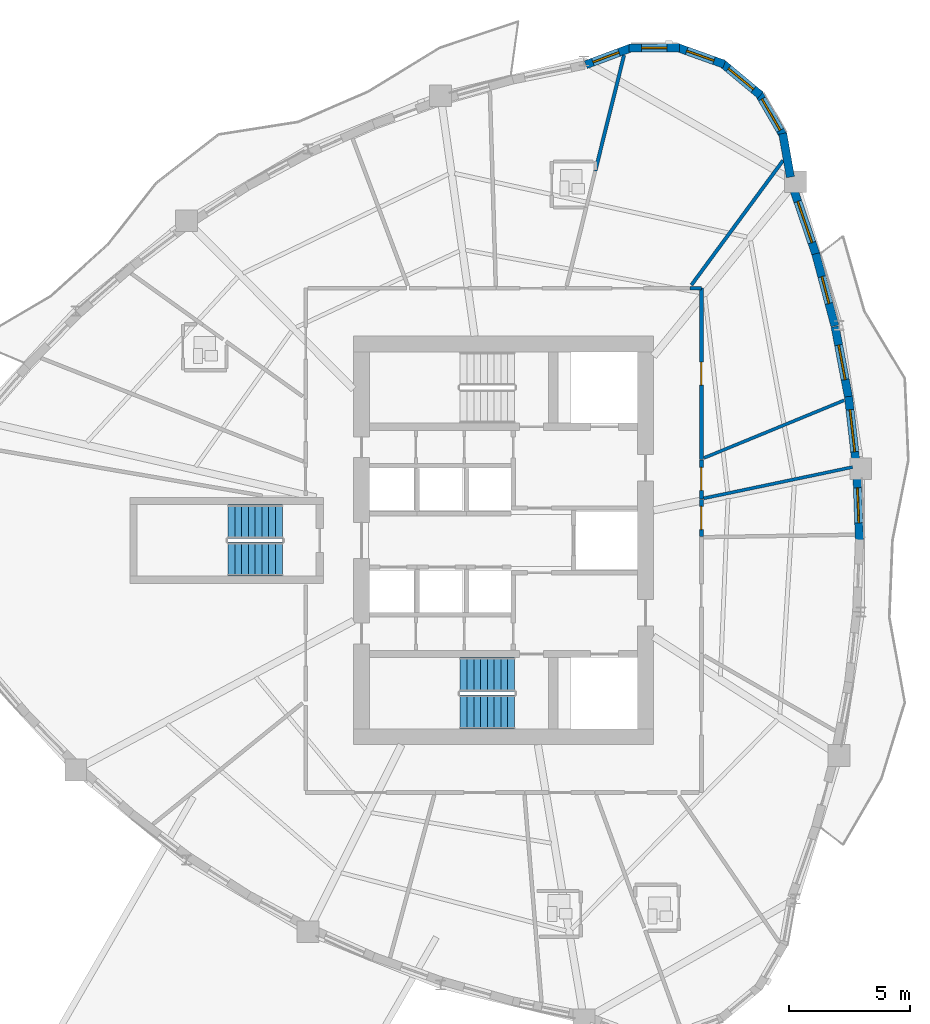
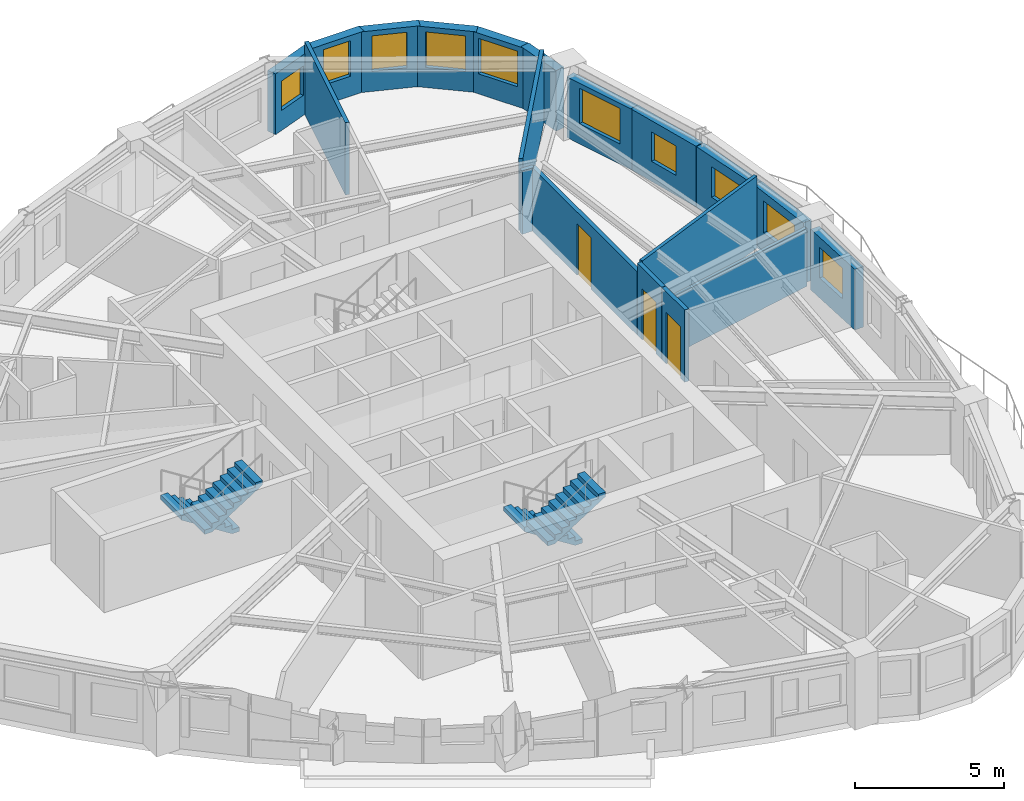
# One storey, part 8 of 14: 19 walls, 10 windows, 4 stair flights, 3 doors, 13 openings, 2 elements without a shape of their own.
"""IFC4 building model written with IfcOpenShell, lengths in metres."""

from ifc_helpers import new_model, si_unit, direction, frame, frame_2d, origin, place, context, subcontext, project, spatial, polyline, rectangle, outline, extrude, source, transform, mapped, material, layer, layer_set, type_object, element, fill, aggregate, save


model = new_model("IFC4")

# Units and contexts
model_context = context("Model", 3, precision=1e-05, world=origin(), true_north=direction((0.0, 1.0)))
body_context = subcontext(model_context, "Body", "Model", "MODEL_VIEW")
ifc_project = project(units=[si_unit("LENGTHUNIT", "METRE"), si_unit("AREAUNIT", "SQUARE_METRE"), si_unit("VOLUMEUNIT", "CUBIC_METRE"), si_unit("PLANEANGLEUNIT", "RADIAN"), si_unit("MASSUNIT", "GRAM", prefix="KILO")], contexts=[model_context])

# Site, building, storey
site_placement = place(None, origin())
site = spatial("IfcSite", under=ifc_project, at=site_placement, CompositionType="ELEMENT")
building_placement = place(site_placement, origin())
building = spatial("IfcBuilding", under=site, at=building_placement, Name="Qafzar Sky-Pleat Residences", CompositionType="ELEMENT")
storey_placement = place(building_placement, frame((0.0, 0.0, 118.39990234375)))
storey = spatial("IfcBuildingStorey", under=building, at=storey_placement, Name="L35", CompositionType="ELEMENT", Elevation=118.39990234375)

# Wall, opening, door
ifc_material_1 = material(Name="Acoustic gypsum plasterboard partition", Category="gypsum")
ifc_layer_1 = layer(ifc_material_1, 0.159912109375)
ifc_layer_set_1 = layer_set([ifc_layer_1], Name="Acoustic gypsum plasterboard partition")
wall_type_1 = type_object("IfcWallType", Name="PART-COR-160", PredefinedType="PARTITIONING", material=ifc_layer_set_1)
wall_1_placement = place(storey_placement, frame((38.530029296875, 36.429931640625, 0.0), z_axis=(0.0, 0.0, 1.0), x_axis=(0.0, -1.0, 0.0)))
wall_1 = element("IfcWall", 1, at=wall_1_placement, inside=storey, type_object=wall_type_1, Name="L35 Partition Wall PART-L35-PW-001", PredefinedType="PARTITIONING", context=body_context, shape_type="SweptSolid", body=[
    extrude(rectangle(XDim=7.0830078125, YDim=0.159912109375, at=frame_2d((3.54150390625, 0.0))), origin(), (0.0, 0.0, 1.0), 2.588134765625),
])
opening_1_placement = place(wall_1_placement, frame((3.052978515625, 0.0, 0.0)))
opening_1 = element("IfcOpeningElement", 2, at=opening_1_placement, cuts=wall_1, Name="Opening ID-06", PredefinedType="OPENING", context=body_context, shape_type="SweptSolid", body=[
    extrude(rectangle(XDim=0.9599609375, YDim=2.10009765625, at=frame_2d((0.47998046875, 1.050048828125))), frame((0.0, 0.08984375, 0.0), z_axis=(0.0, -1.0, 0.0), x_axis=(1.0, 0.0, 0.0)), (0.0, 0.0, 1.0), 0.179931640625),
])
ifc_material_2 = material(Name="Timber-faced fire door", Category="wood")
door_type_1 = type_object("IfcDoorType", Name="DR-STD-960", OperationType="NOTDEFINED", PredefinedType="DOOR", material=ifc_material_2)
shared_shape_1 = source(origin(), body_context, "Body", "SweptSolid", [
    extrude(rectangle(XDim=0.9599609375, YDim=2.10009765625, at=frame_2d((0.47998046875, 1.050048828125))), frame((0.0, 0.02490234375, 0.0), z_axis=(0.0, -1.0, 0.0), x_axis=(1.0, 0.0, 0.0)), (0.0, 0.0, 1.0), 0.050048828125),
])
door_1_placement = place(opening_1_placement, origin())
door_1 = element("IfcDoor", 3, at=door_1_placement, inside=storey, type_object=door_type_1, Name="L35 Reading Library Door", OperationType="SINGLE_SWING_RIGHT", OverallHeight=2.10009765625, OverallWidth=0.9599609375, PredefinedType="DOOR", context=body_context, shape_type="MappedRepresentation", body=[
    mapped(shared_shape_1, transform((0.0, 0.0, 0.0), x_axis=(1.0, 0.0, 0.0), y_axis=(0.0, 1.0, 0.0), z_axis=(0.0, 0.0, 1.0), scale=1.0)),
])
fill(opening_1, door_1)

wall_2_placement = place(storey_placement, frame((38.530029296875, 29.33203125, 0.0), z_axis=(0.0, 0.0, 1.0), x_axis=(0.0, -1.0, 0.0)))
wall_2 = element("IfcWall", 4, at=wall_2_placement, inside=storey, type_object=wall_type_1, Name="L35 Partition Wall PART-L35-PW-018", PredefinedType="PARTITIONING", context=body_context, shape_type="SweptSolid", body=[
    extrude(rectangle(XDim=1.629150390625, YDim=0.159912109375, at=frame_2d((0.814453125, 0.0))), origin(), (0.0, 0.0, 1.0), 2.9501953125),
])
opening_2_placement = place(wall_2_placement, frame((0.31591796875, 0.0, 0.0)))
opening_2 = element("IfcOpeningElement", 5, at=opening_2_placement, cuts=wall_2, Name="Opening ID-08", PredefinedType="OPENING", context=body_context, shape_type="SweptSolid", body=[
    extrude(rectangle(XDim=0.949951171875, YDim=2.10009765625, at=frame_2d((0.47509765625, 1.050048828125))), frame((0.0, 0.08984375, 0.0), z_axis=(0.0, -1.0, 0.0), x_axis=(1.0, 0.0, 0.0)), (0.0, 0.0, 1.0), 0.179931640625),
])
door_type_2 = type_object("IfcDoorType", Name="DR-AWC-950", OperationType="NOTDEFINED", PredefinedType="DOOR", material=ifc_material_2)
shared_shape_2 = source(origin(), body_context, "Body", "SweptSolid", [
    extrude(rectangle(XDim=0.949951171875, YDim=2.10009765625, at=frame_2d((0.47509765625, 1.050048828125))), frame((0.0, 0.02490234375, 0.0), z_axis=(0.0, -1.0, 0.0), x_axis=(1.0, 0.0, 0.0)), (0.0, 0.0, 1.0), 0.050048828125),
])
door_2_placement = place(opening_2_placement, origin())
door_2 = element("IfcDoor", 6, at=door_2_placement, inside=storey, type_object=door_type_2, Name="L35 Accessible Shared Washroom Door", OperationType="SINGLE_SWING_LEFT", OverallHeight=2.10009765625, OverallWidth=0.949951171875, PredefinedType="DOOR", context=body_context, shape_type="MappedRepresentation", body=[
    mapped(shared_shape_2, transform((0.0, 0.0, 0.0), x_axis=(1.0, 0.0, 0.0), y_axis=(0.0, 1.0, 0.0), z_axis=(0.0, 0.0, 1.0), scale=1.0)),
])
fill(opening_2, door_2)

wall_3_placement = place(storey_placement, frame((38.530029296875, 27.68798828125, 0.0), z_axis=(0.0, 0.0, 1.0), x_axis=(0.0, -1.0, 0.0)))
wall_3 = element("IfcWall", 7, at=wall_3_placement, inside=storey, type_object=wall_type_1, Name="L35 Partition Wall PART-L35-PW-019", PredefinedType="PARTITIONING", context=body_context, shape_type="SweptSolid", body=[
    extrude(rectangle(XDim=1.52587890625, YDim=0.159912109375, at=frame_2d((0.762939453125, 0.0))), origin(), (0.0, 0.0, 1.0), 2.9501953125),
])
opening_3_placement = place(wall_3_placement, frame((0.282958984375, 0.0, 0.0)))
opening_3 = element("IfcOpeningElement", 8, at=opening_3_placement, cuts=wall_3, Name="Opening ID-06", PredefinedType="OPENING", context=body_context, shape_type="SweptSolid", body=[
    extrude(rectangle(XDim=0.9599609375, YDim=2.10009765625, at=frame_2d((0.47998046875, 1.050048828125))), frame((0.0, 0.08984375, 0.0), z_axis=(0.0, -1.0, 0.0), x_axis=(1.0, 0.0, 0.0)), (0.0, 0.0, 1.0), 0.179931640625),
])
door_3_placement = place(opening_3_placement, origin())
door_3 = element("IfcDoor", 9, at=door_3_placement, inside=storey, type_object=door_type_1, Name="L35 Scholar Study Room Door", OperationType="SINGLE_SWING_RIGHT", OverallHeight=2.10009765625, OverallWidth=0.9599609375, PredefinedType="DOOR", context=body_context, shape_type="MappedRepresentation", body=[
    mapped(shared_shape_1, transform((0.0, 0.0, 0.0), x_axis=(1.0, 0.0, 0.0), y_axis=(0.0, 1.0, 0.0), z_axis=(0.0, 0.0, 1.0), scale=1.0)),
])
fill(opening_3, door_3)

# Walls
wall_4_placement = place(storey_placement, frame((38.05810546875, 36.429931640625, 0.0), z_axis=(0.0, 0.0, 1.0), x_axis=(1.0, 0.0, 0.0)))
element("IfcWall", 10, at=wall_4_placement, inside=storey, type_object=wall_type_1, Name="L35 Partition Wall PART-L35-PW-056", PredefinedType="PARTITIONING", context=body_context, shape_type="SweptSolid", body=[
    extrude(rectangle(XDim=0.471923828125, YDim=0.159912109375, at=frame_2d((0.23583984375, 0.0))), origin(), (0.0, 0.0, 1.0), 2.588134765625),
])
ifc_layer_2 = layer(ifc_material_1, 0.14501953125)
ifc_layer_set_2 = layer_set([ifc_layer_2], Name="Acoustic gypsum plasterboard partition")
wall_type_2 = type_object("IfcWallType", Name="PART-UNIT-145", PredefinedType="PARTITIONING", material=ifc_layer_set_2)
wall_5_placement = place(storey_placement, frame((38.119140625, 36.559326171875, 0.0), z_axis=(0.0, 0.0, 1.0), x_axis=(0.592704345809, 0.805420113021, 0.0)))
element("IfcWall", 11, at=wall_5_placement, inside=storey, type_object=wall_type_2, Name="L35 Partition Wall PART-L35-PW-029", PredefinedType="PARTITIONING", context=body_context, shape_type="SweptSolid", body=[
    extrude(rectangle(XDim=6.398681640625, YDim=0.14501953125, at=frame_2d((3.19921875, 0.0))), origin(), (0.0, 0.0, 1.0), 2.9501953125),
])
wall_6_placement = place(storey_placement, frame((34.14697265625, 41.285888671875, 0.0), z_axis=(0.0, 0.0, 1.0), x_axis=(0.241055314039, 0.970511378384, 0.0)))
element("IfcWall", 12, at=wall_6_placement, inside=storey, type_object=wall_type_2, Name="L35 Partition Wall PART-L35-PW-034", PredefinedType="PARTITIONING", context=body_context, shape_type="SweptSolid", body=[
    extrude(rectangle(XDim=4.92919921875, YDim=0.14501953125, at=frame_2d((2.464599609375, 0.0))), origin(), (0.0, 0.0, 1.0), 2.9501953125),
])
ifc_material_3 = material(Name="Moisture-resistant gypsum partition", Category="gypsum")
ifc_layer_3 = layer(ifc_material_3, 0.1298828125)
ifc_layer_set_3 = layer_set([ifc_layer_3], Name="Moisture-resistant gypsum partition")
wall_type_3 = type_object("IfcWallType", Name="PART-WET-130", PredefinedType="PARTITIONING", material=ifc_layer_set_3)
wall_7_placement = place(storey_placement, frame((38.64208984375, 29.41015625, 0.0), z_axis=(0.0, 0.0, 1.0), x_axis=(0.924865201518, 0.380295094659, 0.0)))
element("IfcWall", 13, at=wall_7_placement, inside=storey, type_object=wall_type_3, Name="L35 Partition Wall PART-L35-PW-030", PredefinedType="PARTITIONING", context=body_context, shape_type="SweptSolid", body=[
    extrude(rectangle(XDim=6.265625, YDim=0.1298828125, at=frame_2d((3.1328125, 0.0))), origin(), (0.0, 0.0, 1.0), 2.9501953125),
])
wall_8_placement = place(storey_placement, frame((38.631103515625, 27.7392578125, 0.0), z_axis=(0.0, 0.0, 1.0), x_axis=(0.978654667538, 0.205511658323, 0.0)))
element("IfcWall", 14, at=wall_8_placement, inside=storey, type_object=wall_type_3, Name="L35 Partition Wall PART-L35-PW-032", PredefinedType="PARTITIONING", context=body_context, shape_type="SweptSolid", body=[
    extrude(rectangle(XDim=6.290283203125, YDim=0.1298828125, at=frame_2d((3.14501953125, 0.0))), origin(), (0.0, 0.0, 1.0), 2.3681640625),
])

# Wall, opening, window
ifc_material_4 = material(Name="Precast concrete C40/50 with honed Riyadh limestone", Category="concrete")
ifc_layer_4 = layer(ifc_material_4, 0.340087890625)
ifc_layer_set_4 = layer_set([ifc_layer_4], Name="Precast concrete C40/50 with honed Riyadh limestone")
wall_type_4 = type_object("IfcWallType", Name="WALL-EXT-340", PredefinedType="SOLIDWALL", material=ifc_layer_set_4)
wall_9_placement = place(storey_placement, frame((45.0712890625, 25.95556640625, 0.0), z_axis=(0.0, 0.0, 1.0), x_axis=(-0.037997361734, 0.999277839493, 0.0)))
wall_9 = element("IfcWall", 15, at=wall_9_placement, inside=storey, type_object=wall_type_4, Name="L35 Limestone Facade Wall 28", PredefinedType="SOLIDWALL", context=body_context, shape_type="SweptSolid", body=[
    extrude(rectangle(XDim=2.775634765625, YDim=0.340087890625, at=frame_2d((1.3876953125, 0.0))), origin(), (0.0, 0.0, 1.0), 2.47998046875),
])
opening_4_placement = place(wall_9_placement, frame((0.7705078125, 0.0, 0.820068359375)))
opening_4 = element("IfcOpeningElement", 16, at=opening_4_placement, cuts=wall_9, Name="Opening WN-15", PredefinedType="OPENING", context=body_context, shape_type="SweptSolid", body=[
    extrude(rectangle(XDim=1.449951171875, YDim=1.25, at=frame_2d((0.72509765625, 0.625))), frame((0.0, 0.18017578125, 0.0), z_axis=(0.0, -1.0, 0.0), x_axis=(1.0, 0.0, 0.0)), (0.0, 0.0, 1.0), 0.360107421875),
])
ifc_material_5 = material(Name="Solar-control low-E glass in bronze aluminium frame", Category="glass")
window_type_1 = type_object("IfcWindowType", Name="WIN-15", PartitioningType="SINGLE_PANEL", PredefinedType="WINDOW", material=ifc_material_5)
shared_shape_3 = source(origin(), body_context, "Body", "SweptSolid", [
    extrude(rectangle(XDim=1.449951171875, YDim=1.25, at=frame_2d((0.72509765625, 0.625))), frame((0.0, 0.030029296875, 0.0), z_axis=(0.0, -1.0, 0.0), x_axis=(1.0, 0.0, 0.0)), (0.0, 0.0, 1.0), 0.06005859375),
])
window_1_placement = place(opening_4_placement, origin())
window_1 = element("IfcWindow", 17, at=window_1_placement, inside=storey, type_object=window_type_1, Name="L35 Punched Facade Window 28", OverallHeight=1.25, OverallWidth=1.449951171875, PartitioningType="SINGLE_PANEL", PredefinedType="WINDOW", context=body_context, shape_type="MappedRepresentation", body=[
    mapped(shared_shape_3, transform((0.0, 0.0, 0.0), x_axis=(1.0, 0.0, 0.0), y_axis=(0.0, 1.0, 0.0), z_axis=(0.0, 0.0, 1.0), scale=1.0)),
])
fill(opening_4, window_1)

wall_10_placement = place(storey_placement, frame((44.93212890625, 29.1748046875, 0.0), z_axis=(0.0, 0.0, 1.0), x_axis=(-0.113290188042, 0.993561942354, 0.0)))
wall_10 = element("IfcWall", 18, at=wall_10_placement, inside=storey, type_object=wall_type_4, Name="L35 Limestone Facade Wall 29", PredefinedType="SOLIDWALL", context=body_context, shape_type="SweptSolid", body=[
    extrude(rectangle(XDim=2.79296875, YDim=0.340087890625, at=frame_2d((1.396484375, 0.0))), origin(), (0.0, 0.0, 1.0), 2.47998046875),
])
opening_5_placement = place(wall_10_placement, frame((0.493408203125, 0.0, 0.820068359375)))
opening_5 = element("IfcOpeningElement", 19, at=opening_5_placement, cuts=wall_10, Name="Opening WN-14", PredefinedType="OPENING", context=body_context, shape_type="SweptSolid", body=[
    extrude(rectangle(XDim=1.75, YDim=1.300048828125, at=frame_2d((0.875, 0.64990234375))), frame((0.0, 0.18017578125, 0.0), z_axis=(0.0, -1.0, 0.0), x_axis=(1.0, 0.0, 0.0)), (0.0, 0.0, 1.0), 0.360107421875),
])
window_type_2 = type_object("IfcWindowType", Name="WIN-14", PartitioningType="DOUBLE_PANEL_VERTICAL", PredefinedType="WINDOW", material=ifc_material_5)
shared_shape_4 = source(origin(), body_context, "Body", "SweptSolid", [
    extrude(rectangle(XDim=1.75, YDim=1.300048828125, at=frame_2d((0.875, 0.64990234375))), frame((0.0, 0.030029296875, 0.0), z_axis=(0.0, -1.0, 0.0), x_axis=(1.0, 0.0, 0.0)), (0.0, 0.0, 1.0), 0.06005859375),
])
window_2_placement = place(opening_5_placement, origin())
window_2 = element("IfcWindow", 20, at=window_2_placement, inside=storey, type_object=window_type_2, Name="L35 Punched Facade Window 29", OverallHeight=1.300048828125, OverallWidth=1.75, PartitioningType="SINGLE_PANEL", PredefinedType="WINDOW", context=body_context, shape_type="MappedRepresentation", body=[
    mapped(shared_shape_4, transform((0.0, 0.0, 0.0), x_axis=(1.0, 0.0, 0.0), y_axis=(0.0, 1.0, 0.0), z_axis=(0.0, 0.0, 1.0), scale=1.0)),
])
fill(opening_5, window_2)

wall_11_placement = place(storey_placement, frame((44.629150390625, 31.862060546875, 0.0), z_axis=(0.0, 0.0, 1.0), x_axis=(-0.186690909565, 0.982418701108, 0.0)))
wall_11 = element("IfcWall", 21, at=wall_11_placement, inside=storey, type_object=wall_type_4, Name="L35 Limestone Facade Wall 30", PredefinedType="SOLIDWALL", context=body_context, shape_type="SweptSolid", body=[
    extrude(rectangle(XDim=3.03662109375, YDim=0.340087890625, at=frame_2d((1.518310546875, 0.0))), origin(), (0.0, 0.0, 1.0), 2.47998046875),
])
opening_6_placement = place(wall_11_placement, frame((0.80322265625, 0.0, 0.820068359375)))
opening_6 = element("IfcOpeningElement", 22, at=opening_6_placement, cuts=wall_11, Name="Opening WN-15", PredefinedType="OPENING", context=body_context, shape_type="SweptSolid", body=[
    extrude(rectangle(XDim=1.449951171875, YDim=1.25, at=frame_2d((0.72509765625, 0.625))), frame((0.0, 0.18017578125, 0.0), z_axis=(0.0, -1.0, 0.0), x_axis=(1.0, 0.0, 0.0)), (0.0, 0.0, 1.0), 0.360107421875),
])
window_3_placement = place(opening_6_placement, origin())
window_3 = element("IfcWindow", 23, at=window_3_placement, inside=storey, type_object=window_type_1, Name="L35 Punched Facade Window 30", OverallHeight=1.25, OverallWidth=1.449951171875, PartitioningType="SINGLE_PANEL", PredefinedType="WINDOW", context=body_context, shape_type="MappedRepresentation", body=[
    mapped(shared_shape_3, transform((0.0, 0.0, 0.0), x_axis=(1.0, 0.0, 0.0), y_axis=(0.0, 1.0, 0.0), z_axis=(0.0, 0.0, 1.0), scale=1.0)),
])
fill(opening_6, window_3)

wall_12_placement = place(storey_placement, frame((44.05615234375, 34.872314453125, 0.0), z_axis=(0.0, 0.0, 1.0), x_axis=(-0.257081647056, 0.966389686797, 0.0)))
wall_12 = element("IfcWall", 24, at=wall_12_placement, inside=storey, type_object=wall_type_4, Name="L35 Limestone Facade Wall 31", PredefinedType="SOLIDWALL", context=body_context, shape_type="SweptSolid", body=[
    extrude(rectangle(XDim=3.08642578125, YDim=0.340087890625, at=frame_2d((1.543212890625, 0.0))), origin(), (0.0, 0.0, 1.0), 2.47998046875),
])
opening_7_placement = place(wall_12_placement, frame((0.958251953125, 0.0, 0.820068359375)))
opening_7 = element("IfcOpeningElement", 25, at=opening_7_placement, cuts=wall_12, Name="Opening WN-16", PredefinedType="OPENING", context=body_context, shape_type="SweptSolid", body=[
    extrude(rectangle(XDim=1.14990234375, YDim=1.199951171875, at=frame_2d((0.574951171875, 0.60009765625))), frame((0.0, 0.18017578125, 0.0), z_axis=(0.0, -1.0, 0.0), x_axis=(1.0, 0.0, 0.0)), (0.0, 0.0, 1.0), 0.360107421875),
])
window_type_3 = type_object("IfcWindowType", Name="WIN-16", PartitioningType="SINGLE_PANEL", PredefinedType="WINDOW", material=ifc_material_5)
shared_shape_5 = source(origin(), body_context, "Body", "SweptSolid", [
    extrude(rectangle(XDim=1.14990234375, YDim=1.199951171875, at=frame_2d((0.574951171875, 0.60009765625))), frame((0.0, 0.030029296875, 0.0), z_axis=(0.0, -1.0, 0.0), x_axis=(1.0, 0.0, 0.0)), (0.0, 0.0, 1.0), 0.06005859375),
])
window_4_placement = place(opening_7_placement, origin())
window_4 = element("IfcWindow", 26, at=window_4_placement, inside=storey, type_object=window_type_3, Name="L35 Punched Facade Window 31", OverallHeight=1.199951171875, OverallWidth=1.14990234375, PartitioningType="SINGLE_PANEL", PredefinedType="WINDOW", context=body_context, shape_type="MappedRepresentation", body=[
    mapped(shared_shape_5, transform((0.0, 0.0, 0.0), x_axis=(1.0, 0.0, 0.0), y_axis=(0.0, 1.0, 0.0), z_axis=(0.0, 0.0, 1.0), scale=1.0)),
])
fill(opening_7, window_4)

wall_13_placement = place(storey_placement, frame((43.2880859375, 37.77099609375, 0.0), z_axis=(0.0, 0.0, 1.0), x_axis=(-0.323537149191, 0.94621546864, 0.0)))
wall_13 = element("IfcWall", 27, at=wall_13_placement, inside=storey, type_object=wall_type_4, Name="L35 Limestone Facade Wall 32", PredefinedType="SOLIDWALL", context=body_context, shape_type="SweptSolid", body=[
    extrude(rectangle(XDim=2.942138671875, YDim=0.340087890625, at=frame_2d((1.47119140625, 0.0))), origin(), (0.0, 0.0, 1.0), 2.47998046875),
])
opening_8_placement = place(wall_13_placement, frame((0.576171875, 0.0, 0.820068359375)))
opening_8 = element("IfcOpeningElement", 28, at=opening_8_placement, cuts=wall_13, Name="Opening WN-01", PredefinedType="OPENING", context=body_context, shape_type="SweptSolid", body=[
    extrude(rectangle(XDim=1.800048828125, YDim=1.449951171875, at=frame_2d((0.89990234375, 0.72509765625))), frame((0.0, 0.18017578125, 0.0), z_axis=(0.0, -1.0, 0.0), x_axis=(1.0, 0.0, 0.0)), (0.0, 0.0, 1.0), 0.360107421875),
])
window_type_4 = type_object("IfcWindowType", Name="WIN-01", PartitioningType="DOUBLE_PANEL_VERTICAL", PredefinedType="WINDOW", material=ifc_material_5)
shared_shape_6 = source(origin(), body_context, "Body", "SweptSolid", [
    extrude(rectangle(XDim=1.800048828125, YDim=1.449951171875, at=frame_2d((0.89990234375, 0.72509765625))), frame((0.0, 0.030029296875, 0.0), z_axis=(0.0, -1.0, 0.0), x_axis=(1.0, 0.0, 0.0)), (0.0, 0.0, 1.0), 0.06005859375),
])
window_5_placement = place(opening_8_placement, origin())
window_5 = element("IfcWindow", 29, at=window_5_placement, inside=storey, type_object=window_type_4, Name="L35 Punched Facade Window 32", OverallHeight=1.449951171875, OverallWidth=1.800048828125, PartitioningType="SINGLE_PANEL", PredefinedType="WINDOW", context=body_context, shape_type="MappedRepresentation", body=[
    mapped(shared_shape_6, transform((0.0, 0.0, 0.0), x_axis=(1.0, 0.0, 0.0), y_axis=(0.0, 1.0, 0.0), z_axis=(0.0, 0.0, 1.0), scale=1.0)),
])
fill(opening_8, window_5)

# Wall
wall_14_placement = place(storey_placement, frame((42.215087890625, 41.0244140625, 0.0), z_axis=(0.0, 0.0, 1.0), x_axis=(-0.17440141227, 0.984674640375, 0.0)))
element("IfcWall", 30, at=wall_14_placement, inside=storey, type_object=wall_type_4, Name="L35 Limestone Facade Wall 33", PredefinedType="SOLIDWALL", context=body_context, shape_type="SweptSolid", body=[
    extrude(rectangle(XDim=1.8310546875, YDim=0.340087890625, at=frame_2d((0.91552734375, 0.0))), origin(), (0.0, 0.0, 1.0), 2.47998046875),
])

# Wall, opening, window
wall_15_placement = place(storey_placement, frame((41.941650390625, 42.701416015625, 0.0), z_axis=(0.0, 0.0, 1.0), x_axis=(-0.501902596059, 0.864924149315, 0.0)))
wall_15 = element("IfcWall", 31, at=wall_15_placement, inside=storey, type_object=wall_type_4, Name="L35 Limestone Facade Wall 34", PredefinedType="SOLIDWALL", context=body_context, shape_type="SweptSolid", body=[
    extrude(rectangle(XDim=2.098876953125, YDim=0.340087890625, at=frame_2d((1.04931640625, 0.0))), origin(), (0.0, 0.0, 1.0), 2.47998046875),
])
opening_9_placement = place(wall_15_placement, frame((0.299560546875, 0.0, 0.820068359375)))
opening_9 = element("IfcOpeningElement", 32, at=opening_9_placement, cuts=wall_15, Name="Opening WN-03", PredefinedType="OPENING", context=body_context, shape_type="SweptSolid", body=[
    extrude(rectangle(XDim=1.5, YDim=1.449951171875, at=frame_2d((0.75, 0.72509765625))), frame((0.0, 0.18017578125, 0.0), z_axis=(0.0, -1.0, 0.0), x_axis=(1.0, 0.0, 0.0)), (0.0, 0.0, 1.0), 0.360107421875),
])
window_type_5 = type_object("IfcWindowType", Name="WIN-03", PartitioningType="DOUBLE_PANEL_VERTICAL", PredefinedType="WINDOW", material=ifc_material_5)
shared_shape_7 = source(origin(), body_context, "Body", "SweptSolid", [
    extrude(rectangle(XDim=1.5, YDim=1.449951171875, at=frame_2d((0.75, 0.72509765625))), frame((0.0, 0.030029296875, 0.0), z_axis=(0.0, -1.0, 0.0), x_axis=(1.0, 0.0, 0.0)), (0.0, 0.0, 1.0), 0.06005859375),
])
window_6_placement = place(opening_9_placement, origin())
window_6 = element("IfcWindow", 33, at=window_6_placement, inside=storey, type_object=window_type_5, Name="L35 Punched Facade Window 34", OverallHeight=1.449951171875, OverallWidth=1.5, PartitioningType="SINGLE_PANEL", PredefinedType="WINDOW", context=body_context, shape_type="MappedRepresentation", body=[
    mapped(shared_shape_7, transform((0.0, 0.0, 0.0), x_axis=(1.0, 0.0, 0.0), y_axis=(0.0, 1.0, 0.0), z_axis=(0.0, 0.0, 1.0), scale=1.0)),
])
fill(opening_9, window_6)

wall_16_placement = place(storey_placement, frame((40.974609375, 44.414306640625, 0.0), z_axis=(0.0, 0.0, 1.0), x_axis=(-0.768440501876, 0.639921241308, 0.0)))
wall_16 = element("IfcWall", 34, at=wall_16_placement, inside=storey, type_object=wall_type_4, Name="L35 Limestone Facade Wall 35", PredefinedType="SOLIDWALL", context=body_context, shape_type="SweptSolid", body=[
    extrude(rectangle(XDim=2.09912109375, YDim=0.340087890625, at=frame_2d((1.049560546875, 0.0))), origin(), (0.0, 0.0, 1.0), 2.47998046875),
])
opening_10_placement = place(wall_16_placement, frame((0.37451171875, 0.0, 0.820068359375)))
opening_10 = element("IfcOpeningElement", 35, at=opening_10_placement, cuts=wall_16, Name="Opening WN-04", PredefinedType="OPENING", context=body_context, shape_type="SweptSolid", body=[
    extrude(rectangle(XDim=1.35009765625, YDim=1.449951171875, at=frame_2d((0.675048828125, 0.72509765625))), frame((0.0, 0.18017578125, 0.0), z_axis=(0.0, -1.0, 0.0), x_axis=(1.0, 0.0, 0.0)), (0.0, 0.0, 1.0), 0.360107421875),
])
window_type_6 = type_object("IfcWindowType", Name="WIN-04", PartitioningType="SINGLE_PANEL", PredefinedType="WINDOW", material=ifc_material_5)
shared_shape_8 = source(origin(), body_context, "Body", "SweptSolid", [
    extrude(rectangle(XDim=1.35009765625, YDim=1.449951171875, at=frame_2d((0.675048828125, 0.72509765625))), frame((0.0, 0.030029296875, 0.0), z_axis=(0.0, -1.0, 0.0), x_axis=(1.0, 0.0, 0.0)), (0.0, 0.0, 1.0), 0.06005859375),
])
window_7_placement = place(opening_10_placement, origin())
window_7 = element("IfcWindow", 36, at=window_7_placement, inside=storey, type_object=window_type_6, Name="L35 Punched Facade Window 35", OverallHeight=1.449951171875, OverallWidth=1.35009765625, PartitioningType="SINGLE_PANEL", PredefinedType="WINDOW", context=body_context, shape_type="MappedRepresentation", body=[
    mapped(shared_shape_8, transform((0.0, 0.0, 0.0), x_axis=(1.0, 0.0, 0.0), y_axis=(0.0, 1.0, 0.0), z_axis=(0.0, 0.0, 1.0), scale=1.0)),
])
fill(opening_10, window_7)

wall_17_placement = place(storey_placement, frame((39.47802734375, 45.69091796875, 0.0), z_axis=(0.0, 0.0, 1.0), x_axis=(-0.941523304278, 0.336947870598, 0.0)))
wall_17 = element("IfcWall", 37, at=wall_17_placement, inside=storey, type_object=wall_type_4, Name="L35 Limestone Facade Wall 36", PredefinedType="SOLIDWALL", context=body_context, shape_type="SweptSolid", body=[
    extrude(rectangle(XDim=2.09912109375, YDim=0.340087890625, at=frame_2d((1.049560546875, 0.0))), origin(), (0.0, 0.0, 1.0), 2.47998046875),
])
opening_11_placement = place(wall_17_placement, frame((0.449462890625, 0.0, 0.820068359375)))
opening_11 = element("IfcOpeningElement", 38, at=opening_11_placement, cuts=wall_17, Name="Opening WN-05", PredefinedType="OPENING", context=body_context, shape_type="SweptSolid", body=[
    extrude(rectangle(XDim=1.199951171875, YDim=1.449951171875, at=frame_2d((0.60009765625, 0.72509765625))), frame((0.0, 0.18017578125, 0.0), z_axis=(0.0, -1.0, 0.0), x_axis=(1.0, 0.0, 0.0)), (0.0, 0.0, 1.0), 0.360107421875),
])
window_type_7 = type_object("IfcWindowType", Name="WIN-05", PartitioningType="SINGLE_PANEL", PredefinedType="WINDOW", material=ifc_material_5)
shared_shape_9 = source(origin(), body_context, "Body", "SweptSolid", [
    extrude(rectangle(XDim=1.199951171875, YDim=1.449951171875, at=frame_2d((0.60009765625, 0.72509765625))), frame((0.0, 0.030029296875, 0.0), z_axis=(0.0, -1.0, 0.0), x_axis=(1.0, 0.0, 0.0)), (0.0, 0.0, 1.0), 0.06005859375),
])
window_8_placement = place(opening_11_placement, origin())
window_8 = element("IfcWindow", 39, at=window_8_placement, inside=storey, type_object=window_type_7, Name="L35 Punched Facade Window 36", OverallHeight=1.449951171875, OverallWidth=1.199951171875, PartitioningType="SINGLE_PANEL", PredefinedType="WINDOW", context=body_context, shape_type="MappedRepresentation", body=[
    mapped(shared_shape_9, transform((0.0, 0.0, 0.0), x_axis=(1.0, 0.0, 0.0), y_axis=(0.0, 1.0, 0.0), z_axis=(0.0, 0.0, 1.0), scale=1.0)),
])
fill(opening_11, window_8)

wall_18_placement = place(storey_placement, frame((37.634033203125, 46.375732421875, 0.0), z_axis=(0.0, 0.0, 1.0), x_axis=(-0.999976456891, -0.00686189939, 0.0)))
wall_18 = element("IfcWall", 40, at=wall_18_placement, inside=storey, type_object=wall_type_4, Name="L35 Limestone Facade Wall 37", PredefinedType="SOLIDWALL", context=body_context, shape_type="SweptSolid", body=[
    extrude(rectangle(XDim=2.09912109375, YDim=0.340087890625, at=frame_2d((1.049560546875, 0.0))), origin(), (0.0, 0.0, 1.0), 2.47998046875),
])
opening_12_placement = place(wall_18_placement, frame((0.5244140625, 0.0, 0.820068359375)))
opening_12 = element("IfcOpeningElement", 41, at=opening_12_placement, cuts=wall_18, Name="Opening WN-06", PredefinedType="OPENING", context=body_context, shape_type="SweptSolid", body=[
    extrude(rectangle(XDim=1.050048828125, YDim=1.449951171875, at=frame_2d((0.52490234375, 0.72509765625))), frame((0.0, 0.18017578125, 0.0), z_axis=(0.0, -1.0, 0.0), x_axis=(1.0, 0.0, 0.0)), (0.0, 0.0, 1.0), 0.360107421875),
])
window_type_8 = type_object("IfcWindowType", Name="WIN-06", PartitioningType="SINGLE_PANEL", PredefinedType="WINDOW", material=ifc_material_5)
shared_shape_10 = source(origin(), body_context, "Body", "SweptSolid", [
    extrude(rectangle(XDim=1.050048828125, YDim=1.449951171875, at=frame_2d((0.52490234375, 0.72509765625))), frame((0.0, 0.030029296875, 0.0), z_axis=(0.0, -1.0, 0.0), x_axis=(1.0, 0.0, 0.0)), (0.0, 0.0, 1.0), 0.06005859375),
])
window_9_placement = place(opening_12_placement, origin())
window_9 = element("IfcWindow", 42, at=window_9_placement, inside=storey, type_object=window_type_8, Name="L35 Punched Facade Window 37", OverallHeight=1.449951171875, OverallWidth=1.050048828125, PartitioningType="SINGLE_PANEL", PredefinedType="WINDOW", context=body_context, shape_type="MappedRepresentation", body=[
    mapped(shared_shape_10, transform((0.0, 0.0, 0.0), x_axis=(1.0, 0.0, 0.0), y_axis=(0.0, 1.0, 0.0), z_axis=(0.0, 0.0, 1.0), scale=1.0)),
])
fill(opening_12, window_9)

wall_19_placement = place(storey_placement, frame((35.6669921875, 46.3857421875, 0.0), z_axis=(0.0, 0.0, 1.0), x_axis=(-0.936761017964, -0.34996970615, 0.0)))
wall_19 = element("IfcWall", 43, at=wall_19_placement, inside=storey, type_object=wall_type_4, Name="L35 Limestone Facade Wall 38", PredefinedType="SOLIDWALL", context=body_context, shape_type="SweptSolid", body=[
    extrude(rectangle(XDim=2.041259765625, YDim=0.340087890625, at=frame_2d((1.0205078125, 0.0))), origin(), (0.0, 0.0, 1.0), 2.47998046875),
])
opening_13_placement = place(wall_19_placement, frame((0.579345703125, 0.0, 0.820068359375)))
opening_13 = element("IfcOpeningElement", 44, at=opening_13_placement, cuts=wall_19, Name="Opening WN-16", PredefinedType="OPENING", context=body_context, shape_type="SweptSolid", body=[
    extrude(rectangle(XDim=1.14990234375, YDim=1.199951171875, at=frame_2d((0.574951171875, 0.60009765625))), frame((0.0, 0.18017578125, 0.0), z_axis=(0.0, -1.0, 0.0), x_axis=(1.0, 0.0, 0.0)), (0.0, 0.0, 1.0), 0.360107421875),
])
window_10_placement = place(opening_13_placement, origin())
window_10 = element("IfcWindow", 45, at=window_10_placement, inside=storey, type_object=window_type_3, Name="L35 Punched Facade Window 38", OverallHeight=1.199951171875, OverallWidth=1.14990234375, PartitioningType="SINGLE_PANEL", PredefinedType="WINDOW", context=body_context, shape_type="MappedRepresentation", body=[
    mapped(shared_shape_5, transform((0.0, 0.0, 0.0), x_axis=(1.0, 0.0, 0.0), y_axis=(0.0, 1.0, 0.0), z_axis=(0.0, 0.0, 1.0), scale=1.0)),
])
fill(opening_13, window_10)

# Stair, stair flights
ifc_material_6 = material(Name="Concrete C40/50", Category="concrete")
stair_type = type_object("IfcStairType", Name="STAIR-H320", PredefinedType="HALF_TURN_STAIR", material=ifc_material_6)
stair_1_placement = place(storey_placement, origin())
stair_1 = element("IfcStair", 46, at=stair_1_placement, inside=storey, type_object=stair_type, Name="L35 Protected Exit Stair ST1", PredefinedType="HALF_TURN_STAIR")
stair_flight_type = type_object("IfcStairFlightType", Name="FLIGHT-H320", PredefinedType="STRAIGHT", material=ifc_material_6)
shared_shape_11 = source(origin(), body_context, "Body", "SweptSolid", [
    extrude(outline(polyline([(0.0, 0.0), (0.0, 0.177734375), (0.280029296875, 0.177734375), (0.280029296875, 0.35546875), (0.56005859375, 0.35546875), (0.56005859375, 0.533447265625), (0.840087890625, 0.533447265625), (0.840087890625, 0.711181640625), (1.1201171875, 0.711181640625), (1.1201171875, 0.888916015625), (1.39990234375, 0.888916015625), (1.39990234375, 1.066650390625), (1.679931640625, 1.066650390625), (1.679931640625, 1.244384765625), (1.9599609375, 1.244384765625), (1.9599609375, 1.422119140625), (2.239990234375, 1.422119140625), (2.239990234375, 1.60009765625), (2.239990234375, 1.24462890625), (0.27978515625, 0.0), (0.0, 0.0)])), frame((0.0, 0.699951171875, 0.0), z_axis=(0.0, -1.0, 0.0), x_axis=(1.0, 0.0, 0.0)), (0.0, 0.0, 1.0), 1.39990234375),
])
stair_flight_1_placement = place(storey_placement, frame((30.800048828125, 20.449951171875, 0.0), z_axis=(0.0, 0.0, 1.0), x_axis=(-1.0, 0.0, 0.0)))
stair_flight_1 = element("IfcStairFlight", 47, at=stair_flight_1_placement, type_object=stair_flight_type, Name="ST1 flight 1", NumberOfRisers=9, NumberOfTreads=8, PredefinedType="STRAIGHT", RiserHeight=0.177777778, TreadLength=0.28, context=body_context, shape_type="MappedRepresentation", body=[
    mapped(shared_shape_11, transform((0.0, 0.0, 0.0), x_axis=(1.0, 0.0, 0.0), y_axis=(0.0, 1.0, 0.0), z_axis=(0.0, 0.0, 1.0), scale=1.0)),
])
stair_flight_2_placement = place(storey_placement, frame((28.56005859375, 18.89990234375, 1.60009765625), z_axis=(0.0, 0.0, 1.0), x_axis=(1.0, 0.0, 0.0)))
stair_flight_2 = element("IfcStairFlight", 48, at=stair_flight_2_placement, type_object=stair_flight_type, Name="ST1 flight 2", NumberOfRisers=9, NumberOfTreads=8, PredefinedType="STRAIGHT", RiserHeight=0.177777778, TreadLength=0.28, context=body_context, shape_type="MappedRepresentation", body=[
    mapped(shared_shape_11, transform((0.0, 0.0, 0.0), x_axis=(1.0, 0.0, 0.0), y_axis=(0.0, 1.0, 0.0), z_axis=(0.0, 0.0, 1.0), scale=1.0)),
])
aggregate(stair_1, [stair_flight_1, stair_flight_2])

stair_2_placement = place(storey_placement, origin())
stair_2 = element("IfcStair", 49, at=stair_2_placement, inside=storey, type_object=stair_type, Name="L35 Protected Exit Stair ST3", PredefinedType="HALF_TURN_STAIR")
stair_flight_3_placement = place(storey_placement, frame((21.199951171875, 26.77490234375, 0.0), z_axis=(0.0, 0.0, 1.0), x_axis=(-1.0, 0.0, 0.0)))
stair_flight_3 = element("IfcStairFlight", 50, at=stair_flight_3_placement, type_object=stair_flight_type, Name="ST3 flight 1", NumberOfRisers=9, NumberOfTreads=8, PredefinedType="STRAIGHT", RiserHeight=0.177777778, TreadLength=0.28, context=body_context, shape_type="MappedRepresentation", body=[
    mapped(shared_shape_11, transform((0.0, 0.0, 0.0), x_axis=(1.0, 0.0, 0.0), y_axis=(0.0, 1.0, 0.0), z_axis=(0.0, 0.0, 1.0), scale=1.0)),
])
stair_flight_4_placement = place(storey_placement, frame((18.9599609375, 25.22509765625, 1.60009765625), z_axis=(0.0, 0.0, 1.0), x_axis=(1.0, 0.0, 0.0)))
stair_flight_4 = element("IfcStairFlight", 51, at=stair_flight_4_placement, type_object=stair_flight_type, Name="ST3 flight 2", NumberOfRisers=9, NumberOfTreads=8, PredefinedType="STRAIGHT", RiserHeight=0.177777778, TreadLength=0.28, context=body_context, shape_type="MappedRepresentation", body=[
    mapped(shared_shape_11, transform((0.0, 0.0, 0.0), x_axis=(1.0, 0.0, 0.0), y_axis=(0.0, 1.0, 0.0), z_axis=(0.0, 0.0, 1.0), scale=1.0)),
])
aggregate(stair_2, [stair_flight_3, stair_flight_4])

save(model, "model.ifc")
